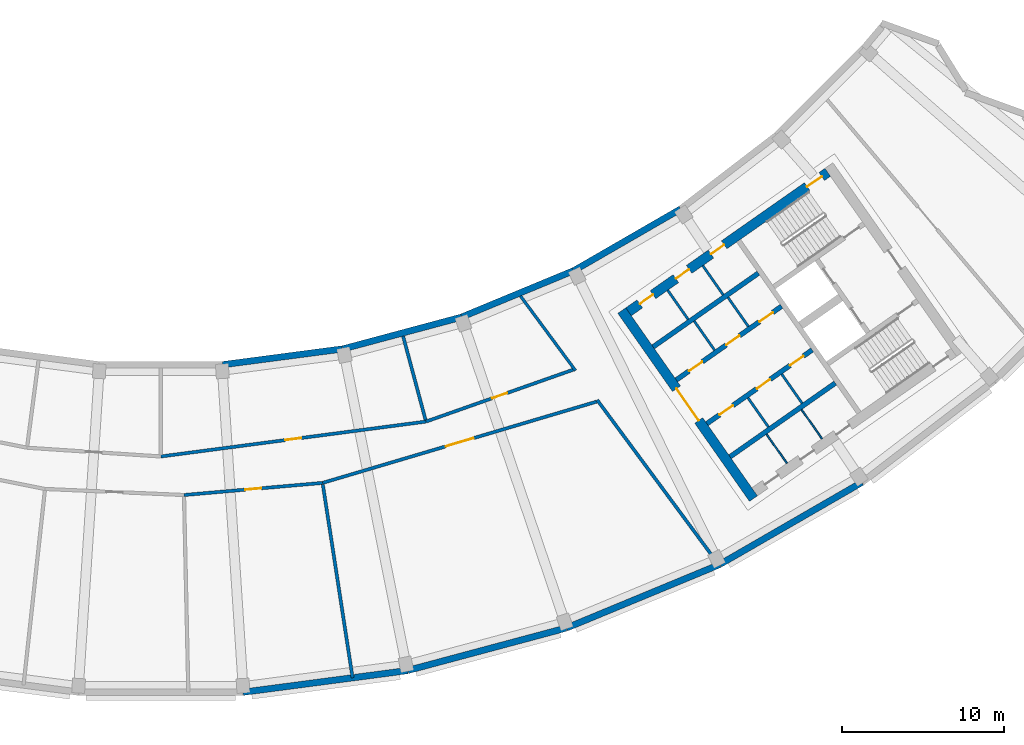
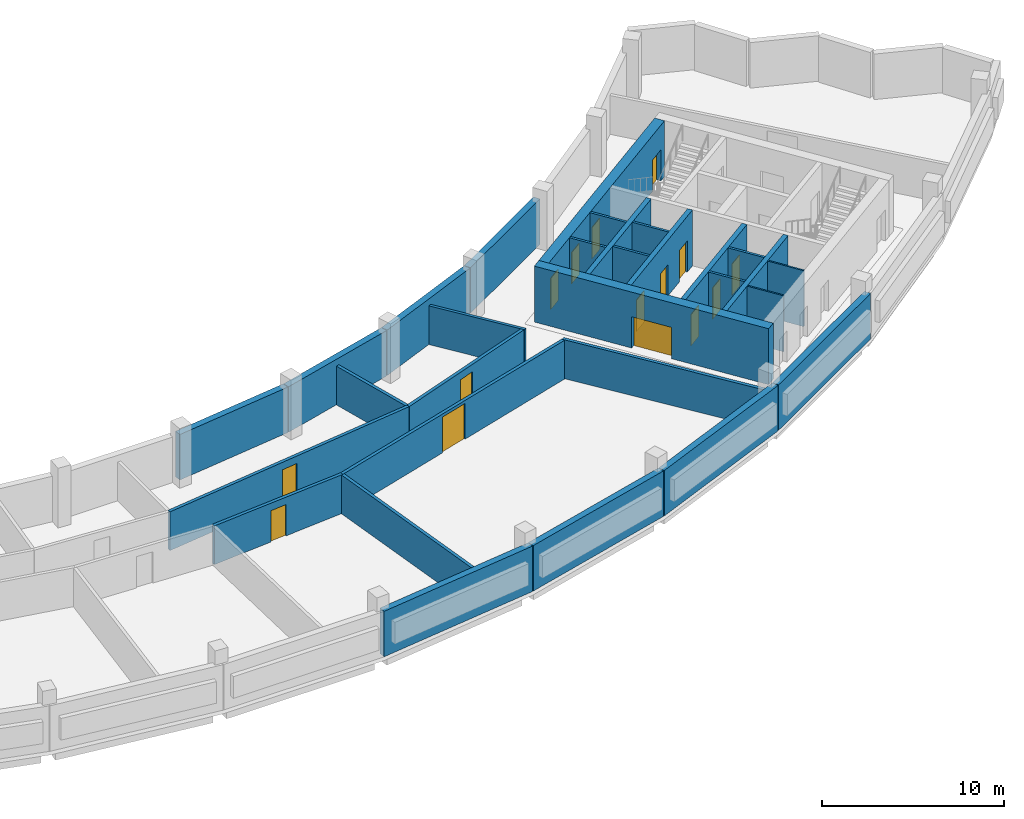
# One storey, part 5 of 11: 30 walls, 15 doors, 15 openings.
"""IFC4 building model written with IfcOpenShell, lengths in metres."""

from ifc_helpers import new_model, si_unit, direction, frame, frame_2d, origin, place, context, subcontext, project, spatial, rectangle, extrude, material, layer, layer_set, type_object, element, fill, save


model = new_model("IFC4")

# Units and contexts
model_context = context("Model", 3, precision=1e-05, world=origin(), true_north=direction((0.0, 1.0)))
body_context = subcontext(model_context, "Body", "Model", "MODEL_VIEW")
ifc_project = project(units=[si_unit("LENGTHUNIT", "METRE"), si_unit("AREAUNIT", "SQUARE_METRE"), si_unit("VOLUMEUNIT", "CUBIC_METRE"), si_unit("PLANEANGLEUNIT", "RADIAN"), si_unit("MASSUNIT", "GRAM", prefix="KILO")], contexts=[model_context])

# Site, building, storey
site_placement = place(None, origin())
site = spatial("IfcSite", under=ifc_project, at=site_placement, CompositionType="ELEMENT")
building_placement = place(site_placement, origin())
building = spatial("IfcBuilding", under=site, at=building_placement, Name="Qamariyya Broadcast Tower", CompositionType="ELEMENT")
storey_placement = place(building_placement, frame((0.0, 0.0, 294.699951171875)))
storey = spatial("IfcBuildingStorey", under=building, at=storey_placement, Name="L71", CompositionType="ELEMENT", Elevation=294.699951171875)

# Wall, opening, door
ifc_material_1 = material(Name="Concrete C60/75", Category="concrete")
ifc_layer_1 = layer(ifc_material_1, 0.60009765625)
ifc_layer_set_1 = layer_set([ifc_layer_1], Name="Core wall 600 mm Concrete C60/75")
wall_type_1 = type_object("IfcWallType", Name="Core wall 600 mm Concrete C60/75", PredefinedType="SHEAR", material=ifc_layer_set_1)
wall_1_placement = place(storey_placement, frame((36.66748046875, -66.005126953125, 0.0), z_axis=(0.0, 0.0, 1.0), x_axis=(-0.573568499524, 0.819157601658, 0.0)))
wall_1 = element("IfcWall", 1, at=wall_1_placement, inside=storey, type_object=wall_type_1, Name="k-E-L71-WA", PredefinedType="SHEAR", context=body_context, shape_type="SweptSolid", body=[
    extrude(rectangle(XDim=14.19970703125, YDim=0.60009765625, at=frame_2d((7.099853515625, 0.0))), origin(), (0.0, 0.0, 1.0), 3.75),
])
opening_1_placement = place(wall_1_placement, frame((5.89990234375, 0.0, 0.0)))
opening_1 = element("IfcOpeningElement", 2, at=opening_1_placement, cuts=wall_1, Name="Opening KD3-E1", PredefinedType="OPENING", context=body_context, shape_type="SweptSolid", body=[
    extrude(rectangle(XDim=2.39990234375, YDim=2.10009765625, at=frame_2d((1.199951171875, 1.050048828125))), frame((0.0, 0.31005859375, 0.0), z_axis=(0.0, -1.0, 0.0), x_axis=(1.0, 0.0, 0.0)), (0.0, 0.0, 1.0), 0.6201171875),
])
ifc_material_2 = material(Name="Steel fire-resisting door leaf", Category="steel")
door_type_1 = type_object("IfcDoorType", Name="Lift lobby door KD3", OperationType="DOUBLE_DOOR_SINGLE_SWING", PredefinedType="DOOR", material=ifc_material_2)
door_1_placement = place(opening_1_placement, origin())
door_1 = element("IfcDoor", 3, at=door_1_placement, inside=storey, type_object=door_type_1, Name="k-E-L71-WA-D1", OperationType="DOUBLE_DOOR_SINGLE_SWING", OverallHeight=2.10009765625, OverallWidth=2.39990234375, PredefinedType="DOOR", context=body_context, shape_type="SweptSolid", body=[
    extrude(rectangle(XDim=2.39990234375, YDim=2.10009765625, at=frame_2d((1.199951171875, 1.050048828125))), frame((0.0, 0.02490234375, 0.0), z_axis=(0.0, -1.0, 0.0), x_axis=(1.0, 0.0, 0.0)), (0.0, 0.0, 1.0), 0.050048828125),
])
fill(opening_1, door_1)

# Wall, openings, doors
wall_2_placement = place(storey_placement, frame((28.940673828125, -54.447021484375, 0.0), z_axis=(0.0, 0.0, 1.0), x_axis=(0.819153391756, 0.573574511963, 0.0)))
wall_2 = element("IfcWall", 4, at=wall_2_placement, inside=storey, type_object=wall_type_1, Name="k-E-L71-WI", PredefinedType="SHEAR", context=body_context, shape_type="SweptSolid", body=[
    extrude(rectangle(XDim=15.04541015625, YDim=0.60009765625, at=frame_2d((7.522705078125, 0.0))), origin(), (0.0, 0.0, 1.0), 3.75),
])
opening_2_placement = place(wall_2_placement, frame((0.85009765625, 0.0, 0.0)))
opening_2 = element("IfcOpeningElement", 5, at=opening_2_placement, cuts=wall_2, Name="Opening KD4-E7", PredefinedType="OPENING", context=body_context, shape_type="SweptSolid", body=[
    extrude(rectangle(XDim=1.0, YDim=2.10009765625, at=frame_2d((0.5, 1.050048828125))), frame((0.0, 0.31005859375, 0.0), z_axis=(0.0, -1.0, 0.0), x_axis=(1.0, 0.0, 0.0)), (0.0, 0.0, 1.0), 0.6201171875),
])
opening_3_placement = place(wall_2_placement, frame((3.574951171875, 0.0, 0.0)))
opening_3 = element("IfcOpeningElement", 6, at=opening_3_placement, cuts=wall_2, Name="Opening KD4-E8", PredefinedType="OPENING", context=body_context, shape_type="SweptSolid", body=[
    extrude(rectangle(XDim=1.0, YDim=2.10009765625, at=frame_2d((0.5, 1.050048828125))), frame((0.0, 0.31005859375, 0.0), z_axis=(0.0, -1.0, 0.0), x_axis=(1.0, 0.0, 0.0)), (0.0, 0.0, 1.0), 0.6201171875),
])
opening_4_placement = place(wall_2_placement, frame((6.22509765625, 0.0, 0.0)))
opening_4 = element("IfcOpeningElement", 7, at=opening_4_placement, cuts=wall_2, Name="Opening KD4-E9", PredefinedType="OPENING", context=body_context, shape_type="SweptSolid", body=[
    extrude(rectangle(XDim=1.0, YDim=2.10009765625, at=frame_2d((0.5, 1.050048828125))), frame((0.0, 0.31005859375, 0.0), z_axis=(0.0, -1.0, 0.0), x_axis=(1.0, 0.0, 0.0)), (0.0, 0.0, 1.0), 0.6201171875),
])
opening_5_placement = place(wall_2_placement, frame((13.495361328125, 0.0, 0.0)))
opening_5 = element("IfcOpeningElement", 8, at=opening_5_placement, cuts=wall_2, Name="Opening KD1-E1", PredefinedType="OPENING", context=body_context, shape_type="SweptSolid", body=[
    extrude(rectangle(XDim=1.10009765625, YDim=2.10009765625, at=frame_2d((0.550048828125, 1.050048828125))), frame((0.0, 0.31005859375, 0.0), z_axis=(0.0, -1.0, 0.0), x_axis=(1.0, 0.0, 0.0)), (0.0, 0.0, 1.0), 0.6201171875),
])
door_type_2 = type_object("IfcDoorType", Name="Riser and plant door KD4", OperationType="SINGLE_SWING_LEFT", PredefinedType="DOOR", material=ifc_material_2)
door_2_placement = place(opening_2_placement, origin())
door_2 = element("IfcDoor", 9, at=door_2_placement, inside=storey, type_object=door_type_2, Name="k-E-L71-WI-D8", OperationType="SINGLE_SWING_RIGHT", OverallHeight=2.10009765625, OverallWidth=1.0, PredefinedType="DOOR", context=body_context, shape_type="SweptSolid", body=[
    extrude(rectangle(XDim=1.0, YDim=2.10009765625, at=frame_2d((0.5, 1.050048828125))), frame((0.0, 0.02490234375, 0.0), z_axis=(0.0, -1.0, 0.0), x_axis=(1.0, 0.0, 0.0)), (0.0, 0.0, 1.0), 0.050048828125),
])
fill(opening_2, door_2)
door_3_placement = place(opening_3_placement, origin())
door_3 = element("IfcDoor", 10, at=door_3_placement, inside=storey, type_object=door_type_2, Name="k-E-L71-WI-D9", OperationType="SINGLE_SWING_LEFT", OverallHeight=2.10009765625, OverallWidth=1.0, PredefinedType="DOOR", context=body_context, shape_type="SweptSolid", body=[
    extrude(rectangle(XDim=1.0, YDim=2.10009765625, at=frame_2d((0.5, 1.050048828125))), frame((0.0, 0.02490234375, 0.0), z_axis=(0.0, -1.0, 0.0), x_axis=(1.0, 0.0, 0.0)), (0.0, 0.0, 1.0), 0.050048828125),
])
fill(opening_3, door_3)
door_4_placement = place(opening_4_placement, origin())
door_4 = element("IfcDoor", 11, at=door_4_placement, inside=storey, type_object=door_type_2, Name="k-E-L71-WI-D10", OperationType="SINGLE_SWING_RIGHT", OverallHeight=2.10009765625, OverallWidth=1.0, PredefinedType="DOOR", context=body_context, shape_type="SweptSolid", body=[
    extrude(rectangle(XDim=1.0, YDim=2.10009765625, at=frame_2d((0.5, 1.050048828125))), frame((0.0, 0.02490234375, 0.0), z_axis=(0.0, -1.0, 0.0), x_axis=(1.0, 0.0, 0.0)), (0.0, 0.0, 1.0), 0.050048828125),
])
fill(opening_4, door_4)
door_type_3 = type_object("IfcDoorType", Name="Stair door KD1", OperationType="SINGLE_SWING_LEFT", PredefinedType="DOOR", material=ifc_material_2)
door_5_placement = place(opening_5_placement, origin())
door_5 = element("IfcDoor", 12, at=door_5_placement, inside=storey, type_object=door_type_3, Name="k-E-L71-WI-D17", OperationType="SINGLE_SWING_RIGHT", OverallHeight=2.10009765625, OverallWidth=1.10009765625, PredefinedType="DOOR", context=body_context, shape_type="SweptSolid", body=[
    extrude(rectangle(XDim=1.10009765625, YDim=2.10009765625, at=frame_2d((0.550048828125, 1.050048828125))), frame((0.0, 0.02490234375, 0.0), z_axis=(0.0, -1.0, 0.0), x_axis=(1.0, 0.0, 0.0)), (0.0, 0.0, 1.0), 0.050048828125),
])
fill(opening_5, door_5)

# Walls
ifc_material_3 = material(Name="Gypsum board partition on steel studs", Category="steel")
ifc_layer_2 = layer(ifc_material_3, 0.14990234375)
ifc_layer_set_2 = layer_set([ifc_layer_2], Name="Gypsum board partition 150 mm")
wall_type_2 = type_object("IfcWallType", Name="Gypsum board partition 150 mm", PredefinedType="PARTITIONING", material=ifc_layer_set_2)
for number, where, z_axis, x_axis, name in (
    (13, (34.26611328125, -56.822021484375, 0.0), (0.0, 0.0, 1.0), (-0.573581496053, 0.819148501424, 0.0), "k-E-L71-NC300"),
    (14, (36.35498046875, -55.359375, 0.0), (0.0, 0.0, 1.0), (-0.573581496053, 0.819148501424, 0.0), "k-E-L71-NC555"),
):
    element("IfcWall", number, at=place(storey_placement, frame(where, z_axis=z_axis, x_axis=x_axis)), inside=storey, type_object=wall_type_2, Name=name, PredefinedType="PARTITIONING", context=body_context, shape_type="SweptSolid", body=[
        extrude(rectangle(XDim=2.2001953125, YDim=0.14990234375, at=frame_2d((1.10009765625, 0.0))), origin(), (0.0, 0.0, 1.0), 3.75),
    ])
for number, where, z_axis, x_axis, name in (
    (15, (36.330810546875, -59.77099609375, 0.0), (0.0, 0.0, 1.0), (0.573633636671, -0.819111989218, 0.0), "k-E-L71-SC300"),
    (16, (38.419677734375, -58.308349609375, 0.0), (0.0, 0.0, 1.0), (0.573633636671, -0.819111989218, 0.0), "k-E-L71-SC555"),
    (17, (32.627197265625, -54.91748046875, 0.0), (0.0, 0.0, 1.0), (-0.573507030513, 0.819200638399, 0.0), "k-E-L71-NP275"),
    (18, (34.798095703125, -53.3974609375, 0.0), (0.0, 0.0, 1.0), (-0.573633636671, 0.819111989218, 0.0), "k-E-L71-NP540"),
):
    element("IfcWall", number, at=place(storey_placement, frame(where, z_axis=z_axis, x_axis=x_axis)), inside=storey, type_object=wall_type_2, Name=name, PredefinedType="PARTITIONING", context=body_context, shape_type="SweptSolid", body=[
        extrude(rectangle(XDim=2.199951171875, YDim=0.14990234375, at=frame_2d((1.10009765625, 0.0))), origin(), (0.0, 0.0, 1.0), 3.75),
    ])

# Wall, openings, doors
ifc_layer_3 = layer(ifc_material_1, 0.300048828125)
ifc_layer_set_3 = layer_set([ifc_layer_3], Name="Lift shaft wall 300 mm Concrete C60/75")
wall_type_3 = type_object("IfcWallType", Name="Lift shaft wall 300 mm Concrete C60/75", PredefinedType="SOLIDWALL", material=ifc_layer_set_3)
wall_3_placement = place(storey_placement, frame((31.89453125, -58.66552734375, 0.0), z_axis=(0.0, 0.0, 1.0), x_axis=(0.819166993208, 0.573555086491, 0.0)))
wall_3 = element("IfcWall", 19, at=wall_3_placement, inside=storey, type_object=wall_type_3, Name="k-E-L71-NF0", PredefinedType="SOLIDWALL", context=body_context, shape_type="SweptSolid", body=[
    extrude(rectangle(XDim=7.9501953125, YDim=0.300048828125, at=frame_2d((3.97509765625, 0.0))), origin(), (0.0, 0.0, 1.0), 3.75),
])
opening_6_placement = place(wall_3_placement, frame((0.96240234375, 0.0, 0.0)))
opening_6 = element("IfcOpeningElement", 20, at=opening_6_placement, cuts=wall_3, Name="Opening KD4-E1", PredefinedType="OPENING", context=body_context, shape_type="SweptSolid", body=[
    extrude(rectangle(XDim=1.0, YDim=2.10009765625, at=frame_2d((0.5, 1.050048828125))), frame((0.0, 0.159912109375, 0.0), z_axis=(0.0, -1.0, 0.0), x_axis=(1.0, 0.0, 0.0)), (0.0, 0.0, 1.0), 0.320068359375),
])
opening_7_placement = place(wall_3_placement, frame((3.77490234375, 0.0, 0.0)))
opening_7 = element("IfcOpeningElement", 21, at=opening_7_placement, cuts=wall_3, Name="Opening KD4-E2", PredefinedType="OPENING", context=body_context, shape_type="SweptSolid", body=[
    extrude(rectangle(XDim=1.0, YDim=2.10009765625, at=frame_2d((0.5, 1.050048828125))), frame((0.0, 0.159912109375, 0.0), z_axis=(0.0, -1.0, 0.0), x_axis=(1.0, 0.0, 0.0)), (0.0, 0.0, 1.0), 0.320068359375),
])
opening_8_placement = place(wall_3_placement, frame((6.28759765625, 0.0, 0.0)))
opening_8 = element("IfcOpeningElement", 22, at=opening_8_placement, cuts=wall_3, Name="Opening KD4-E3", PredefinedType="OPENING", context=body_context, shape_type="SweptSolid", body=[
    extrude(rectangle(XDim=1.0, YDim=2.10009765625, at=frame_2d((0.5, 1.050048828125))), frame((0.0, 0.159912109375, 0.0), z_axis=(0.0, -1.0, 0.0), x_axis=(1.0, 0.0, 0.0)), (0.0, 0.0, 1.0), 0.320068359375),
])
door_6_placement = place(opening_6_placement, origin())
door_6 = element("IfcDoor", 23, at=door_6_placement, inside=storey, type_object=door_type_2, Name="k-E-L71-NF0-D2", OperationType="SINGLE_SWING_RIGHT", OverallHeight=2.10009765625, OverallWidth=1.0, PredefinedType="DOOR", context=body_context, shape_type="SweptSolid", body=[
    extrude(rectangle(XDim=1.0, YDim=2.10009765625, at=frame_2d((0.5, 1.050048828125))), frame((0.0, 0.02490234375, 0.0), z_axis=(0.0, -1.0, 0.0), x_axis=(1.0, 0.0, 0.0)), (0.0, 0.0, 1.0), 0.050048828125),
])
fill(opening_6, door_6)
door_7_placement = place(opening_7_placement, origin())
door_7 = element("IfcDoor", 24, at=door_7_placement, inside=storey, type_object=door_type_2, Name="k-E-L71-NF0-D3", OperationType="SINGLE_SWING_LEFT", OverallHeight=2.10009765625, OverallWidth=1.0, PredefinedType="DOOR", context=body_context, shape_type="SweptSolid", body=[
    extrude(rectangle(XDim=1.0, YDim=2.10009765625, at=frame_2d((0.5, 1.050048828125))), frame((0.0, 0.02490234375, 0.0), z_axis=(0.0, -1.0, 0.0), x_axis=(1.0, 0.0, 0.0)), (0.0, 0.0, 1.0), 0.050048828125),
])
fill(opening_7, door_7)
door_8_placement = place(opening_8_placement, origin())
door_8 = element("IfcDoor", 25, at=door_8_placement, inside=storey, type_object=door_type_2, Name="k-E-L71-NF0-D4", OperationType="SINGLE_SWING_RIGHT", OverallHeight=2.10009765625, OverallWidth=1.0, PredefinedType="DOOR", context=body_context, shape_type="SweptSolid", body=[
    extrude(rectangle(XDim=1.0, YDim=2.10009765625, at=frame_2d((0.5, 1.050048828125))), frame((0.0, 0.02490234375, 0.0), z_axis=(0.0, -1.0, 0.0), x_axis=(1.0, 0.0, 0.0)), (0.0, 0.0, 1.0), 0.050048828125),
])
fill(opening_8, door_8)

# Wall
wall_4_placement = place(storey_placement, frame((30.460693359375, -56.61767578125, 0.0), z_axis=(0.0, 0.0, 1.0), x_axis=(0.819142461705, 0.573590121456, 0.0)))
element("IfcWall", 26, at=wall_4_placement, inside=storey, type_object=wall_type_3, Name="k-E-L71-NB0", PredefinedType="SOLIDWALL", context=body_context, shape_type="SweptSolid", body=[
    extrude(rectangle(XDim=7.949951171875, YDim=0.300048828125, at=frame_2d((3.97509765625, 0.0))), origin(), (0.0, 0.0, 1.0), 3.75),
])

# Wall, openings, doors
wall_5_placement = place(storey_placement, frame((33.787353515625, -61.368896484375, 0.0), z_axis=(0.0, 0.0, 1.0), x_axis=(0.819152564888, 0.573575692858, 0.0)))
wall_5 = element("IfcWall", 27, at=wall_5_placement, inside=storey, type_object=wall_type_3, Name="k-E-L71-SF0", PredefinedType="SOLIDWALL", context=body_context, shape_type="SweptSolid", body=[
    extrude(rectangle(XDim=7.9501953125, YDim=0.300048828125, at=frame_2d((3.97509765625, 0.0))), origin(), (0.0, 0.0, 1.0), 3.75),
])
opening_9_placement = place(wall_5_placement, frame((0.96240234375, 0.0, 0.0)))
opening_9 = element("IfcOpeningElement", 28, at=opening_9_placement, cuts=wall_5, Name="Opening KD4-E4", PredefinedType="OPENING", context=body_context, shape_type="SweptSolid", body=[
    extrude(rectangle(XDim=1.0, YDim=2.10009765625, at=frame_2d((0.5, 1.050048828125))), frame((0.0, 0.159912109375, 0.0), z_axis=(0.0, -1.0, 0.0), x_axis=(1.0, 0.0, 0.0)), (0.0, 0.0, 1.0), 0.320068359375),
])
opening_10_placement = place(wall_5_placement, frame((3.77490234375, 0.0, 0.0)))
opening_10 = element("IfcOpeningElement", 29, at=opening_10_placement, cuts=wall_5, Name="Opening KD4-E5", PredefinedType="OPENING", context=body_context, shape_type="SweptSolid", body=[
    extrude(rectangle(XDim=1.0, YDim=2.10009765625, at=frame_2d((0.5, 1.050048828125))), frame((0.0, 0.159912109375, 0.0), z_axis=(0.0, -1.0, 0.0), x_axis=(1.0, 0.0, 0.0)), (0.0, 0.0, 1.0), 0.320068359375),
])
opening_11_placement = place(wall_5_placement, frame((6.28759765625, 0.0, 0.0)))
opening_11 = element("IfcOpeningElement", 30, at=opening_11_placement, cuts=wall_5, Name="Opening KD4-E6", PredefinedType="OPENING", context=body_context, shape_type="SweptSolid", body=[
    extrude(rectangle(XDim=1.0, YDim=2.10009765625, at=frame_2d((0.5, 1.050048828125))), frame((0.0, 0.159912109375, 0.0), z_axis=(0.0, -1.0, 0.0), x_axis=(1.0, 0.0, 0.0)), (0.0, 0.0, 1.0), 0.320068359375),
])
door_9_placement = place(opening_9_placement, origin())
door_9 = element("IfcDoor", 31, at=door_9_placement, inside=storey, type_object=door_type_2, Name="k-E-L71-SF0-D5", OperationType="SINGLE_SWING_LEFT", OverallHeight=2.10009765625, OverallWidth=1.0, PredefinedType="DOOR", context=body_context, shape_type="SweptSolid", body=[
    extrude(rectangle(XDim=1.0, YDim=2.10009765625, at=frame_2d((0.5, 1.050048828125))), frame((0.0, 0.02490234375, 0.0), z_axis=(0.0, -1.0, 0.0), x_axis=(1.0, 0.0, 0.0)), (0.0, 0.0, 1.0), 0.050048828125),
])
fill(opening_9, door_9)
door_10_placement = place(opening_10_placement, origin())
door_10 = element("IfcDoor", 32, at=door_10_placement, inside=storey, type_object=door_type_2, Name="k-E-L71-SF0-D6", OperationType="SINGLE_SWING_RIGHT", OverallHeight=2.10009765625, OverallWidth=1.0, PredefinedType="DOOR", context=body_context, shape_type="SweptSolid", body=[
    extrude(rectangle(XDim=1.0, YDim=2.10009765625, at=frame_2d((0.5, 1.050048828125))), frame((0.0, 0.02490234375, 0.0), z_axis=(0.0, -1.0, 0.0), x_axis=(1.0, 0.0, 0.0)), (0.0, 0.0, 1.0), 0.050048828125),
])
fill(opening_10, door_10)
door_11_placement = place(opening_11_placement, origin())
door_11 = element("IfcDoor", 33, at=door_11_placement, inside=storey, type_object=door_type_2, Name="k-E-L71-SF0-D7", OperationType="SINGLE_SWING_LEFT", OverallHeight=2.10009765625, OverallWidth=1.0, PredefinedType="DOOR", context=body_context, shape_type="SweptSolid", body=[
    extrude(rectangle(XDim=1.0, YDim=2.10009765625, at=frame_2d((0.5, 1.050048828125))), frame((0.0, 0.02490234375, 0.0), z_axis=(0.0, -1.0, 0.0), x_axis=(1.0, 0.0, 0.0)), (0.0, 0.0, 1.0), 0.050048828125),
])
fill(opening_11, door_11)

# Wall
wall_6_placement = place(storey_placement, frame((35.22119140625, -63.41650390625, 0.0), z_axis=(0.0, 0.0, 1.0), x_axis=(0.819166993208, 0.573555086491, 0.0)))
element("IfcWall", 34, at=wall_6_placement, inside=storey, type_object=wall_type_3, Name="k-E-L71-SB0", PredefinedType="SOLIDWALL", context=body_context, shape_type="SweptSolid", body=[
    extrude(rectangle(XDim=7.9501953125, YDim=0.300048828125, at=frame_2d((3.97509765625, 0.0))), origin(), (0.0, 0.0, 1.0), 3.75),
])

# Wall, opening, door
ifc_material_4 = material(Name="Masonry block wall", Category="masonry")
ifc_layer_4 = layer(ifc_material_4, 0.199951171875)
ifc_layer_set_4 = layer_set([ifc_layer_4], Name="Plant room wall 200 EI 120")
wall_type_4 = type_object("IfcWallType", Name="Plant room wall 200 EI 120", PredefinedType="PARTITIONING", material=ifc_layer_set_4)
wall_7_placement = place(storey_placement, frame((0.0, -63.39990234375, 0.0), z_axis=(0.0, 0.0, 1.0), x_axis=(0.991446059502, 0.130517091211, 0.0)))
wall_7 = element("IfcWall", 35, at=wall_7_placement, inside=storey, type_object=wall_type_4, Name="Partition L71-014", PredefinedType="PARTITIONING", context=body_context, shape_type="SweptSolid", body=[
    extrude(rectangle(XDim=16.55078125, YDim=0.199951171875, at=frame_2d((8.275390625, 0.0))), origin(), (0.0, 0.0, 1.0), 2.60009765625),
])
opening_12_placement = place(wall_7_placement, frame((7.775390625, 0.0, 0.0)))
opening_12 = element("IfcOpeningElement", 36, at=opening_12_placement, cuts=wall_7, Name="Opening L71-D09", PredefinedType="OPENING", context=body_context, shape_type="SweptSolid", body=[
    extrude(rectangle(XDim=1.0, YDim=2.10009765625, at=frame_2d((0.5, 1.050048828125))), frame((0.0, 0.10986328125, 0.0), z_axis=(0.0, -1.0, 0.0), x_axis=(1.0, 0.0, 0.0)), (0.0, 0.0, 1.0), 0.219970703125),
])
ifc_material_5 = material(Name="Insulated metal door leaf")
door_type_4 = type_object("IfcDoorType", Name="Plant door 1000 x 2100 FD120", OperationType="NOTDEFINED", PredefinedType="DOOR", material=ifc_material_5)
door_12_placement = place(opening_12_placement, origin())
door_12 = element("IfcDoor", 37, at=door_12_placement, inside=storey, type_object=door_type_4, Name="Door L71-D09", OperationType="SINGLE_SWING_RIGHT", OverallHeight=2.10009765625, OverallWidth=1.0, PredefinedType="DOOR", context=body_context, shape_type="SweptSolid", body=[
    extrude(rectangle(XDim=1.0, YDim=2.10009765625, at=frame_2d((0.5, 1.050048828125))), frame((0.0, 0.02490234375, 0.0), z_axis=(0.0, -1.0, 0.0), x_axis=(1.0, 0.0, 0.0)), (0.0, 0.0, 1.0), 0.050048828125),
])
fill(opening_12, door_12)

wall_8_placement = place(storey_placement, frame((10.011474609375, -65.033935546875, 0.0), z_axis=(0.0, 0.0, 1.0), x_axis=(-0.996193717496, -0.087166950281, 0.0)))
wall_8 = element("IfcWall", 38, at=wall_8_placement, inside=storey, type_object=wall_type_4, Name="Partition L71-016", PredefinedType="PARTITIONING", context=body_context, shape_type="SweptSolid", body=[
    extrude(rectangle(XDim=8.60693359375, YDim=0.199951171875, at=frame_2d((4.303466796875, 0.0))), origin(), (0.0, 0.0, 1.0), 2.60009765625),
])
opening_13_placement = place(wall_8_placement, frame((3.803466796875, 0.0, 0.0)))
opening_13 = element("IfcOpeningElement", 39, at=opening_13_placement, cuts=wall_8, Name="Opening L71-D04", PredefinedType="OPENING", context=body_context, shape_type="SweptSolid", body=[
    extrude(rectangle(XDim=1.0, YDim=2.10009765625, at=frame_2d((0.5, 1.050048828125))), frame((0.0, 0.10986328125, 0.0), z_axis=(0.0, -1.0, 0.0), x_axis=(1.0, 0.0, 0.0)), (0.0, 0.0, 1.0), 0.219970703125),
])
door_13_placement = place(opening_13_placement, origin())
door_13 = element("IfcDoor", 40, at=door_13_placement, inside=storey, type_object=door_type_4, Name="Door L71-D04", OperationType="SINGLE_SWING_RIGHT", OverallHeight=2.10009765625, OverallWidth=1.0, PredefinedType="DOOR", context=body_context, shape_type="SweptSolid", body=[
    extrude(rectangle(XDim=1.0, YDim=2.10009765625, at=frame_2d((0.5, 1.050048828125))), frame((0.0, 0.02490234375, 0.0), z_axis=(0.0, -1.0, 0.0), x_axis=(1.0, 0.0, 0.0)), (0.0, 0.0, 1.0), 0.050048828125),
])
fill(opening_13, door_13)

wall_9_placement = place(storey_placement, frame((26.96142578125, -60.0078125, 0.0), z_axis=(0.0, 0.0, 1.0), x_axis=(-0.958737769038, -0.284291910225, 0.0)))
wall_9 = element("IfcWall", 41, at=wall_9_placement, inside=storey, type_object=wall_type_4, Name="Partition L71-018", PredefinedType="PARTITIONING", context=body_context, shape_type="SweptSolid", body=[
    extrude(rectangle(XDim=17.679443359375, YDim=0.199951171875, at=frame_2d((8.83984375, 0.0))), origin(), (0.0, 0.0, 1.0), 2.60009765625),
])
opening_14_placement = place(wall_9_placement, frame((7.939697265625, 0.0, 0.0)))
opening_14 = element("IfcOpeningElement", 42, at=opening_14_placement, cuts=wall_9, Name="Opening L71-D05", PredefinedType="OPENING", context=body_context, shape_type="SweptSolid", body=[
    extrude(rectangle(XDim=1.800048828125, YDim=2.39990234375, at=frame_2d((0.89990234375, 1.199951171875))), frame((0.0, 0.10986328125, 0.0), z_axis=(0.0, -1.0, 0.0), x_axis=(1.0, 0.0, 0.0)), (0.0, 0.0, 1.0), 0.219970703125),
])
door_type_5 = type_object("IfcDoorType", Name="Plant double door 1800 x 2400 FD120", OperationType="NOTDEFINED", PredefinedType="DOOR", material=ifc_material_5)
door_14_placement = place(opening_14_placement, origin())
door_14 = element("IfcDoor", 43, at=door_14_placement, inside=storey, type_object=door_type_5, Name="Door L71-D05", OperationType="DOUBLE_DOOR_SINGLE_SWING", OverallHeight=2.39990234375, OverallWidth=1.800048828125, PredefinedType="DOOR", context=body_context, shape_type="SweptSolid", body=[
    extrude(rectangle(XDim=1.800048828125, YDim=2.39990234375, at=frame_2d((0.89990234375, 1.199951171875))), frame((0.0, 0.02490234375, 0.0), z_axis=(0.0, -1.0, 0.0), x_axis=(1.0, 0.0, 0.0)), (0.0, 0.0, 1.0), 0.050048828125),
])
fill(opening_14, door_14)

# Walls
wall_10_placement = place(storey_placement, frame((11.867919921875, -77.0927734375, 0.0), z_axis=(0.0, 0.0, 1.0), x_axis=(-0.152143600209, 0.988358399021, 0.0)))
element("IfcWall", 44, at=wall_10_placement, inside=storey, type_object=wall_type_4, Name="Partition L71-019", PredefinedType="PARTITIONING", context=body_context, shape_type="SweptSolid", body=[
    extrude(rectangle(XDim=12.100830078125, YDim=0.199951171875, at=frame_2d((6.05029296875, 0.0))), origin(), (0.0, 0.0, 1.0), 2.60009765625),
])
wall_11_placement = place(storey_placement, frame((14.992431640625, -55.952880859375, 0.0), z_axis=(0.0, 0.0, 1.0), x_axis=(0.258847367931, -0.965918236765, 0.0)))
element("IfcWall", 45, at=wall_11_placement, inside=storey, type_object=wall_type_4, Name="Partition L71-020", PredefinedType="PARTITIONING", context=body_context, shape_type="SweptSolid", body=[
    extrude(rectangle(XDim=5.373291015625, YDim=0.199951171875, at=frame_2d((2.6865234375, 0.0))), origin(), (0.0, 0.0, 1.0), 2.60009765625),
])

# Wall, opening, door
wall_12_placement = place(storey_placement, frame((16.4091796875, -61.23974609375, 0.0), z_axis=(0.0, 0.0, 1.0), x_axis=(0.943182093553, 0.332276298284, 0.0)))
wall_12 = element("IfcWall", 46, at=wall_12_placement, inside=storey, type_object=wall_type_4, Name="Partition L71-021", PredefinedType="PARTITIONING", context=body_context, shape_type="SweptSolid", body=[
    extrude(rectangle(XDim=9.65234375, YDim=0.199951171875, at=frame_2d((4.826171875, 0.0))), origin(), (0.0, 0.0, 1.0), 2.60009765625),
])
opening_15_placement = place(wall_12_placement, frame((4.326171875, 0.0, 0.0)))
opening_15 = element("IfcOpeningElement", 47, at=opening_15_placement, cuts=wall_12, Name="Opening L71-D10", PredefinedType="OPENING", context=body_context, shape_type="SweptSolid", body=[
    extrude(rectangle(XDim=1.0, YDim=2.10009765625, at=frame_2d((0.5, 1.050048828125))), frame((0.0, 0.10986328125, 0.0), z_axis=(0.0, -1.0, 0.0), x_axis=(1.0, 0.0, 0.0)), (0.0, 0.0, 1.0), 0.219970703125),
])
door_15_placement = place(opening_15_placement, origin())
door_15 = element("IfcDoor", 48, at=door_15_placement, inside=storey, type_object=door_type_4, Name="Door L71-D10", OperationType="SINGLE_SWING_RIGHT", OverallHeight=2.10009765625, OverallWidth=1.0, PredefinedType="DOOR", context=body_context, shape_type="SweptSolid", body=[
    extrude(rectangle(XDim=1.0, YDim=2.10009765625, at=frame_2d((0.5, 1.050048828125))), frame((0.0, 0.02490234375, 0.0), z_axis=(0.0, -1.0, 0.0), x_axis=(1.0, 0.0, 0.0)), (0.0, 0.0, 1.0), 0.050048828125),
])
fill(opening_15, door_15)

# Walls
wall_13_placement = place(storey_placement, frame((26.998046875, -59.89892578125, 0.0), z_axis=(0.0, 0.0, 1.0), x_axis=(0.593866233023, -0.804563793167, 0.0)))
element("IfcWall", 49, at=wall_13_placement, inside=storey, type_object=wall_type_4, Name="Partition L71-023", PredefinedType="PARTITIONING", context=body_context, shape_type="SweptSolid", body=[
    extrude(rectangle(XDim=12.6904296875, YDim=0.199951171875, at=frame_2d((6.34521484375, 0.0))), origin(), (0.0, 0.0, 1.0), 2.60009765625),
])
ifc_material_6 = material(Name="Fire-rated gypsum shaft liner on steel studs", Category="steel")
ifc_layer_5 = layer(ifc_material_6, 0.10009765625)
ifc_layer_set_5 = layer_set([ifc_layer_5], Name="Riser wall 100 mm")
wall_type_5 = type_object("IfcWallType", Name="Riser wall 100 mm", PredefinedType="PLUMBINGWALL", material=ifc_layer_set_5)
wall_14_placement = place(storey_placement, frame((37.47802734375, -62.01953125, 0.0), z_axis=(0.0, 0.0, 1.0), x_axis=(0.573581496053, -0.819148501424, 0.0)))
element("IfcWall", 50, at=wall_14_placement, inside=storey, type_object=wall_type_5, Name="k-E-L71-SP265", PredefinedType="PLUMBINGWALL", context=body_context, shape_type="SweptSolid", body=[
    extrude(rectangle(XDim=2.2001953125, YDim=0.10009765625, at=frame_2d((1.10009765625, 0.0))), origin(), (0.0, 0.0, 1.0), 3.75),
])
wall_15_placement = place(storey_placement, frame((39.64892578125, -60.49951171875, 0.0), z_axis=(0.0, 0.0, 1.0), x_axis=(0.573507030513, -0.819200638399, 0.0)))
element("IfcWall", 51, at=wall_15_placement, inside=storey, type_object=wall_type_5, Name="k-E-L71-SP530", PredefinedType="PLUMBINGWALL", context=body_context, shape_type="SweptSolid", body=[
    extrude(rectangle(XDim=2.199951171875, YDim=0.10009765625, at=frame_2d((1.10009765625, 0.0))), origin(), (0.0, 0.0, 1.0), 3.75),
])
ifc_material_7 = material(Name="Terracotta", Category="masonry")
ifc_layer_6 = layer(ifc_material_7, 0.39990234375)
ifc_layer_set_6 = layer_set([ifc_layer_6], Name="Solid terracotta louvred band wall 400")
wall_type_6 = type_object("IfcWallType", Name="Solid terracotta louvred band wall 400", PredefinedType="SOLIDWALL", material=ifc_layer_set_6)
wall_16_placement = place(storey_placement, frame((25.539794921875, -51.90380859375, 0.0), z_axis=(0.0, 0.0, 1.0), x_axis=(-0.923872151004, -0.382701252414, 0.0)))
element("IfcWall", 52, at=wall_16_placement, inside=storey, type_object=wall_type_6, Name="e-wl-L71-in100", PredefinedType="SOLIDWALL", context=body_context, shape_type="SweptSolid", body=[
    extrude(rectangle(XDim=7.4658203125, YDim=0.39990234375, at=frame_2d((3.73291015625, 0.0))), origin(), (0.0, 0.0, 1.0), 3.050048828125),
])
wall_17_placement = place(storey_placement, frame((32.16162109375, -48.08837890625, 0.0), z_axis=(0.0, 0.0, 1.0), x_axis=(-0.866025463095, -0.499999897272, 0.0)))
element("IfcWall", 53, at=wall_17_placement, inside=storey, type_object=wall_type_6, Name="e-wl-L71-in110", PredefinedType="SOLIDWALL", context=body_context, shape_type="SweptSolid", body=[
    extrude(rectangle(XDim=7.6171875, YDim=0.39990234375, at=frame_2d((3.80859375, 0.0))), origin(), (0.0, 0.0, 1.0), 3.050048828125),
])
wall_18_placement = place(storey_placement, frame((11.23583984375, -56.745361328125, 0.0), z_axis=(0.0, 0.0, 1.0), x_axis=(-0.991442493144, -0.130544179452, 0.0)))
element("IfcWall", 54, at=wall_18_placement, inside=storey, type_object=wall_type_6, Name="e-wl-L71-in80", PredefinedType="SOLIDWALL", context=body_context, shape_type="SweptSolid", body=[
    extrude(rectangle(XDim=7.4658203125, YDim=0.39990234375, at=frame_2d((3.73291015625, 0.0))), origin(), (0.0, 0.0, 1.0), 3.050048828125),
])
wall_19_placement = place(storey_placement, frame((18.61962890625, -54.77392578125, 0.0), z_axis=(0.0, 0.0, 1.0), x_axis=(-0.965927307138, -0.258813518437, 0.0)))
element("IfcWall", 55, at=wall_19_placement, inside=storey, type_object=wall_type_6, Name="e-wl-L71-in90", PredefinedType="SOLIDWALL", context=body_context, shape_type="SweptSolid", body=[
    extrude(rectangle(XDim=7.6171875, YDim=0.39990234375, at=frame_2d((3.80859375, 0.0))), origin(), (0.0, 0.0, 1.0), 3.050048828125),
])
wall_20_placement = place(storey_placement, frame((25.09716796875, -74.01171875, 0.0), z_axis=(0.0, 0.0, 1.0), x_axis=(0.923877211741, 0.382689035152, 0.0)))
element("IfcWall", 56, at=wall_20_placement, inside=storey, type_object=wall_type_6, Name="e-wl-L71-out100", PredefinedType="SOLIDWALL", context=body_context, shape_type="SweptSolid", body=[
    extrude(rectangle(XDim=10.2724609375, YDim=0.39990234375, at=frame_2d((5.13623046875, 0.0))), origin(), (0.0, 0.0, 1.0), 3.050048828125),
])
wall_21_placement = place(storey_placement, frame((34.608642578125, -70.06494140625, 0.0), z_axis=(0.0, 0.0, 1.0), x_axis=(0.866019679839, 0.500009914033, 0.0)))
element("IfcWall", 57, at=wall_21_placement, inside=storey, type_object=wall_type_6, Name="e-wl-L71-out110", PredefinedType="SOLIDWALL", context=body_context, shape_type="SweptSolid", body=[
    extrude(rectangle(XDim=10.120849609375, YDim=0.39990234375, at=frame_2d((5.060546875, 0.0))), origin(), (0.0, 0.0, 1.0), 3.050048828125),
])
wall_22_placement = place(storey_placement, frame((5.08642578125, -77.985595703125, 0.0), z_axis=(0.0, 0.0, 1.0), x_axis=(0.991444909321, 0.130525828027, 0.0)))
element("IfcWall", 58, at=wall_22_placement, inside=storey, type_object=wall_type_6, Name="e-wl-L71-out80", PredefinedType="SOLIDWALL", context=body_context, shape_type="SweptSolid", body=[
    extrude(rectangle(XDim=10.2724609375, YDim=0.39990234375, at=frame_2d((5.13623046875, 0.0))), origin(), (0.0, 0.0, 1.0), 3.050048828125),
])
wall_23_placement = place(storey_placement, frame((15.295166015625, -76.634765625, 0.0), z_axis=(0.0, 0.0, 1.0), x_axis=(0.965928778267, 0.258808027921, 0.0)))
element("IfcWall", 59, at=wall_23_placement, inside=storey, type_object=wall_type_6, Name="e-wl-L71-out90", PredefinedType="SOLIDWALL", context=body_context, shape_type="SweptSolid", body=[
    extrude(rectangle(XDim=10.120849609375, YDim=0.39990234375, at=frame_2d((5.060546875, 0.0))), origin(), (0.0, 0.0, 1.0), 3.050048828125),
])
ifc_material_8 = material(Name="Gypsum board partition")
ifc_layer_7 = layer(ifc_material_8, 0.179931640625)
ifc_layer_set_7 = layer_set([ifc_layer_7], Name="Studio acoustic partition 180 EI 60")
wall_type_7 = type_object("IfcWallType", Name="Studio acoustic partition 180 EI 60", PredefinedType="PARTITIONING", material=ifc_layer_set_7)
wall_24_placement = place(storey_placement, frame((22.251953125, -53.469482421875, 0.0), z_axis=(0.0, 0.0, 1.0), x_axis=(0.593885763016, -0.804549377283, 0.0)))
element("IfcWall", 60, at=wall_24_placement, inside=storey, type_object=wall_type_7, Name="Partition L71-022", PredefinedType="PARTITIONING", context=body_context, shape_type="SweptSolid", body=[
    extrude(rectangle(XDim=5.734375, YDim=0.179931640625, at=frame_2d((2.8671875, 0.0))), origin(), (0.0, 0.0, 1.0), 2.60009765625),
])

save(model, "model.ifc")
